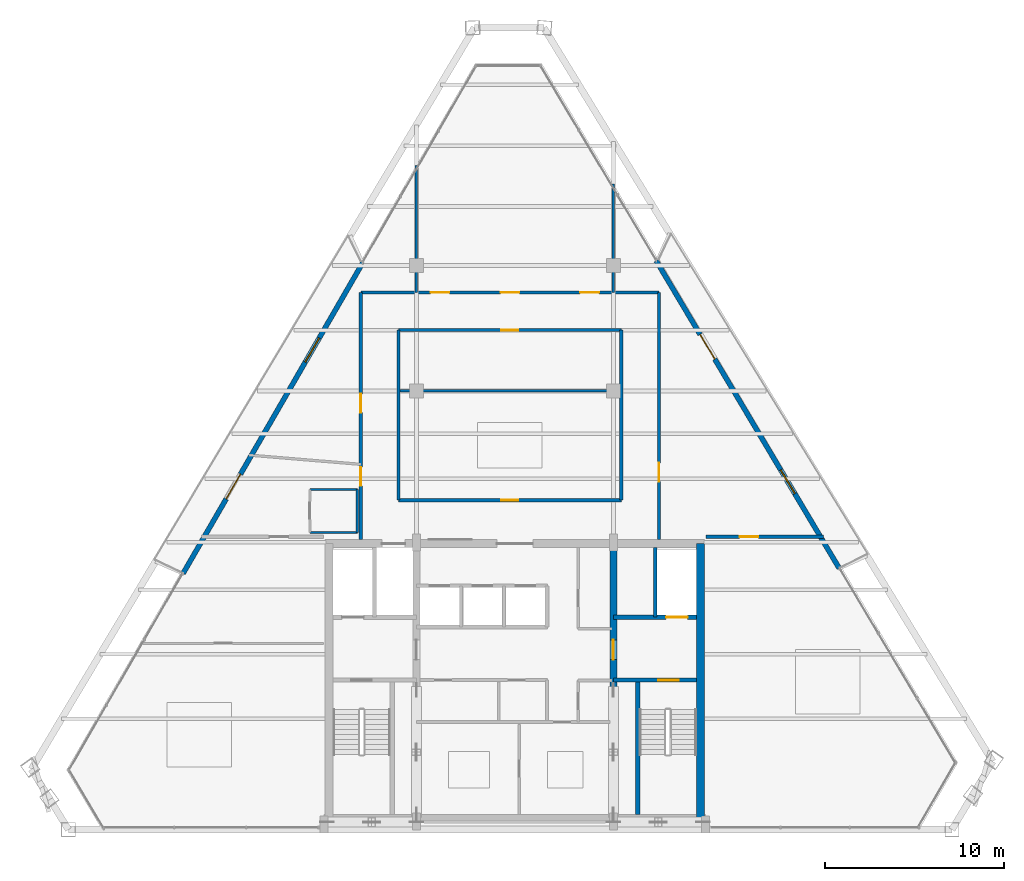
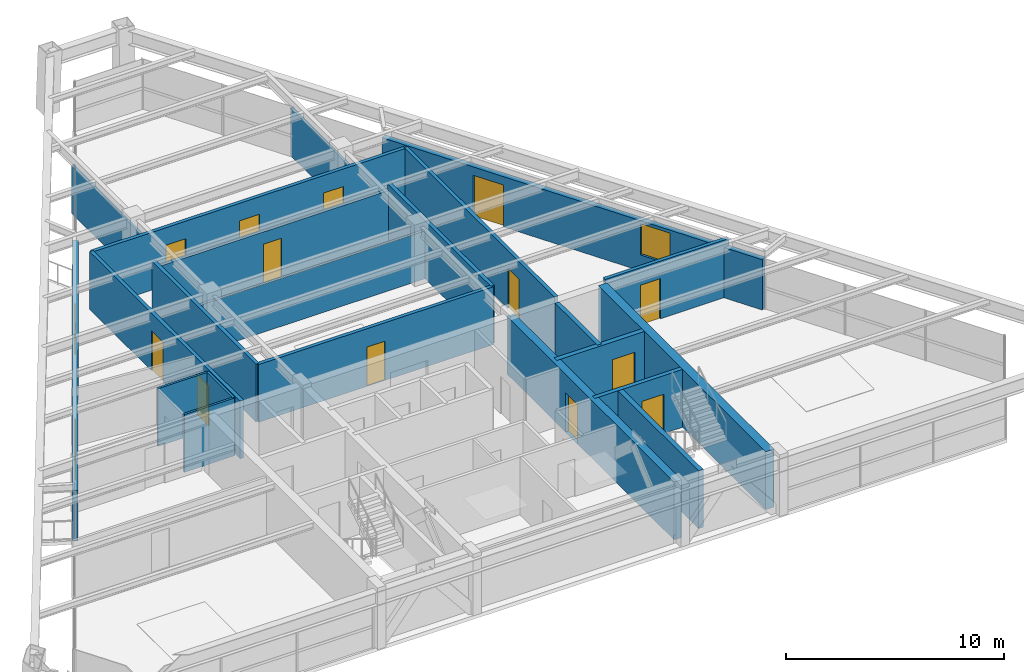
# One storey, part 10 of 13: 22 walls, 14 doors, 2 windows, 16 openings.
"""IFC4 building model written with IfcOpenShell, lengths in metres."""

from ifc_helpers import new_model, si_unit, direction, frame, frame_2d, origin, place, context, subcontext, project, spatial, rectangle, extrude, source, transform, mapped, material, layer, layer_set, type_object, type_shapes, element, fill, save


model = new_model("IFC4")

# Units and contexts
model_context = context("Model", 3, precision=1e-05, world=origin(), true_north=direction((0.0, 1.0)))
body_context = subcontext(model_context, "Body", "Model", "MODEL_VIEW")
ifc_project = project(units=[si_unit("LENGTHUNIT", "METRE"), si_unit("AREAUNIT", "SQUARE_METRE"), si_unit("VOLUMEUNIT", "CUBIC_METRE"), si_unit("PLANEANGLEUNIT", "RADIAN"), si_unit("MASSUNIT", "GRAM", prefix="KILO")], contexts=[model_context])

# Site, building, storey
site_placement = place(None, origin())
site = spatial("IfcSite", under=ifc_project, at=site_placement, CompositionType="ELEMENT")
building_placement = place(site_placement, origin())
building = spatial("IfcBuilding", under=site, at=building_placement, Name="Varnakhor Terracotta Tower", CompositionType="ELEMENT")
storey_placement = place(building_placement, frame((0.0, 0.0, 273.0)))
storey = spatial("IfcBuildingStorey", under=building, at=storey_placement, Name="L71", CompositionType="ELEMENT", Elevation=273.0)

# Walls
ifc_material_1 = material(Name="Moisture-Resistant Tile-Backed Partition", Category="gypsum")
ifc_layer_1 = layer(ifc_material_1, 0.114990234375, Name="Moisture-Resistant Tile-Backed Partition")
ifc_layer_set_1 = layer_set([ifc_layer_1], Name="Moisture-Resistant Tile-Backed Partition")
wall_type_1 = type_object("IfcWallType", Name="WAL-BATH-115", PredefinedType="PARTITIONING", material=ifc_layer_set_1)
for number, where, z_axis, x_axis, name in (
    (1, (-11.449951171875, 16.60009765625, 0.0), (0.0, 0.0, 1.0), (1.0, 0.0, 0.0), "L71 En-Suite 1 Wall S"),
    (2, (-11.449951171875, 19.0, 0.0), (0.0, 0.0, 1.0), (1.0, 0.0, 0.0), "L71 En-Suite 1 Wall N"),
):
    element("IfcWall", number, at=place(storey_placement, frame(where, z_axis=z_axis, x_axis=x_axis)), inside=storey, type_object=wall_type_1, Name=name, PredefinedType="PARTITIONING", context=body_context, shape_type="SweptSolid", body=[
        extrude(rectangle(XDim=2.64990234375, YDim=0.114990234375, at=frame_2d((1.324951171875, 0.0))), origin(), (0.0, 0.0, 1.0), 3.23193359375),
    ])
wall_1_placement = place(storey_placement, frame((-8.800048828125, 16.60009765625, 0.0), z_axis=(0.0, 0.0, 1.0), x_axis=(0.0, 1.0, 0.0)))
element("IfcWall", 3, at=wall_1_placement, inside=storey, type_object=wall_type_1, Name="L71 En-Suite 1 Wall E", PredefinedType="PARTITIONING", context=body_context, shape_type="SweptSolid", body=[
    extrude(rectangle(XDim=2.39990234375, YDim=0.114990234375, at=frame_2d((1.199951171875, 0.0))), origin(), (0.0, 0.0, 1.0), 3.23193359375),
])
ifc_material_2 = material(Name="Concrete C50/60", Category="concrete")
ifc_layer_2 = layer(ifc_material_2, 0.449951171875, Name="Concrete C50/60")
ifc_layer_set_2 = layer_set([ifc_layer_2], Name="Concrete C50/60")
wall_type_2 = type_object("IfcWallType", Name="WAL-CORE-450", PredefinedType="SHEAR", material=ifc_layer_set_2)
wall_2_placement = place(storey_placement, frame((10.375, 0.625, 0.0), z_axis=(0.0, 0.0, 1.0), x_axis=(0.0, 1.0, 0.0)))
element("IfcWall", 4, at=wall_2_placement, inside=storey, type_object=wall_type_2, Name="L71 East Core Shear Wall", PredefinedType="SHEAR", context=body_context, shape_type="SweptSolid", body=[
    extrude(rectangle(XDim=15.35009765625, YDim=0.449951171875, at=frame_2d((7.675048828125, 0.0))), origin(), (0.0, 0.0, 1.0), 3.239990234375),
])

# Wall, opening, door
ifc_layer_3 = layer(ifc_material_2, 0.39990234375, Name="Concrete C50/60")
ifc_layer_set_3 = layer_set([ifc_layer_3], Name="Concrete C50/60")
wall_type_3 = type_object("IfcWallType", Name="WAL-CORE-WEB-400", PredefinedType="SHEAR", material=ifc_layer_set_3)
wall_3_placement = place(storey_placement, frame((5.5, 0.625, 0.0), z_axis=(0.0, 0.0, 1.0), x_axis=(0.0, 1.0, 0.0)))
wall_3 = element("IfcWall", 5, at=wall_3_placement, inside=storey, type_object=wall_type_3, Name="L71 East Core Web Shear Wall", PredefinedType="SHEAR", context=body_context, shape_type="SweptSolid", body=[
    extrude(rectangle(XDim=15.35009765625, YDim=0.39990234375, at=frame_2d((7.675048828125, 0.0))), origin(), (0.0, 0.0, 1.0), 3.239990234375),
])
opening_1_placement = place(wall_3_placement, frame((8.875, 0.0, 0.0)))
opening_1 = element("IfcOpeningElement", 6, at=opening_1_placement, cuts=wall_3, Name="Opening DR-25", PredefinedType="OPENING", context=body_context, shape_type="SweptSolid", body=[
    extrude(rectangle(XDim=1.10009765625, YDim=2.199951171875, at=frame_2d((0.550048828125, 1.10009765625))), frame((0.0, 0.2099609375, 0.0), z_axis=(0.0, -1.0, 0.0), x_axis=(1.0, 0.0, 0.0)), (0.0, 0.0, 1.0), 0.419921875),
])
ifc_material_3 = material(Name="Firefighting Lobby Self-Closing Fire Door", Category="steel")
door_type_1 = type_object("IfcDoorType", Name="DR-FFL-1100X2200", OperationType="NOTDEFINED", PredefinedType="DOOR", material=ifc_material_3)
shared_shape_1 = source(origin(), body_context, "Body", "SweptSolid", [
    extrude(rectangle(XDim=1.10009765625, YDim=2.199951171875, at=frame_2d((0.550048828125, 1.10009765625))), frame((0.0, 0.02490234375, 0.0), z_axis=(0.0, -1.0, 0.0), x_axis=(1.0, 0.0, 0.0)), (0.0, 0.0, 1.0), 0.050048828125),
])
type_shapes(door_type_1, [shared_shape_1])
door_1_placement = place(opening_1_placement, origin())
door_1 = element("IfcDoor", 7, at=door_1_placement, inside=storey, type_object=door_type_1, Name="L71 East Firefighting Lobby Door", OperationType="SINGLE_SWING_LEFT", OverallHeight=2.199951171875, OverallWidth=1.10009765625, PredefinedType="DOOR", context=body_context, shape_type="MappedRepresentation", body=[
    mapped(shared_shape_1, transform((0.0, 0.0, 0.0), scale=1.0)),
])
fill(opening_1, door_1)

ifc_material_4 = material(Name="Fire-Rated Gypsum Stud Partition", Category="gypsum")
ifc_layer_4 = layer(ifc_material_4, 0.18505859375, Name="Fire-Rated Gypsum Stud Partition")
ifc_layer_set_4 = layer_set([ifc_layer_4], Name="Fire-Rated Gypsum Stud Partition")
wall_type_4 = type_object("IfcWallType", Name="WAL-CORR-185", PredefinedType="PARTITIONING", material=ifc_layer_set_4)
wall_4_placement = place(storey_placement, frame((-6.5, 18.39990234375, 0.0), z_axis=(0.0, 0.0, 1.0), x_axis=(1.0, 0.0, 0.0)))
wall_4 = element("IfcWall", 8, at=wall_4_placement, inside=storey, type_object=wall_type_4, Name="L71 Ring Inner South Wall", PredefinedType="PARTITIONING", context=body_context, shape_type="SweptSolid", body=[
    extrude(rectangle(XDim=12.449951171875, YDim=0.18505859375, at=frame_2d((6.22509765625, 0.0))), origin(), (0.0, 0.0, 1.0), 3.23193359375),
])
opening_2_placement = place(wall_4_placement, frame((5.75, 0.0, 0.0)))
opening_2 = element("IfcOpeningElement", 9, at=opening_2_placement, cuts=wall_4, Name="Opening DR-94", PredefinedType="OPENING", context=body_context, shape_type="SweptSolid", body=[
    extrude(rectangle(XDim=0.949951171875, YDim=2.199951171875, at=frame_2d((0.47509765625, 1.10009765625))), frame((0.0, 0.1025390625, 0.0), z_axis=(0.0, -1.0, 0.0), x_axis=(1.0, 0.0, 0.0)), (0.0, 0.0, 1.0), 0.205078125),
])
ifc_material_5 = material(Name="Acoustic Glazed-Vision Timber Office Door", Category="wood")
door_type_2 = type_object("IfcDoorType", Name="DR-OFF-950X2200", OperationType="NOTDEFINED", PredefinedType="DOOR", material=ifc_material_5)
shared_shape_2 = source(origin(), body_context, "Body", "SweptSolid", [
    extrude(rectangle(XDim=0.949951171875, YDim=2.199951171875, at=frame_2d((0.47509765625, 1.10009765625))), frame((0.0, 0.02490234375, 0.0), z_axis=(0.0, -1.0, 0.0), x_axis=(1.0, 0.0, 0.0)), (0.0, 0.0, 1.0), 0.050048828125),
])
type_shapes(door_type_2, [shared_shape_2])
door_2_placement = place(opening_2_placement, origin())
door_2 = element("IfcDoor", 10, at=door_2_placement, inside=storey, type_object=door_type_2, Name="L71 Housekeeping Station Door", OperationType="SINGLE_SWING_RIGHT", OverallHeight=2.199951171875, OverallWidth=0.949951171875, PredefinedType="DOOR", context=body_context, shape_type="MappedRepresentation", body=[
    mapped(shared_shape_2, transform((0.0, 0.0, 0.0), scale=1.0)),
])
fill(opening_2, door_2)

wall_5_placement = place(storey_placement, frame((-6.5, 27.89990234375, 0.0), z_axis=(0.0, 0.0, 1.0), x_axis=(1.0, 0.0, 0.0)))
wall_5 = element("IfcWall", 11, at=wall_5_placement, inside=storey, type_object=wall_type_4, Name="L71 Ring Inner North Wall", PredefinedType="PARTITIONING", context=body_context, shape_type="SweptSolid", body=[
    extrude(rectangle(XDim=12.449951171875, YDim=0.18505859375, at=frame_2d((6.22509765625, 0.0))), origin(), (0.0, 0.0, 1.0), 2.885009765625),
])
opening_3_placement = place(wall_5_placement, frame((5.75, 0.0, 0.0)))
opening_3 = element("IfcOpeningElement", 12, at=opening_3_placement, cuts=wall_5, Name="Opening DR-94", PredefinedType="OPENING", context=body_context, shape_type="SweptSolid", body=[
    extrude(rectangle(XDim=0.949951171875, YDim=2.199951171875, at=frame_2d((0.47509765625, 1.10009765625))), frame((0.0, 0.1025390625, 0.0), z_axis=(0.0, -1.0, 0.0), x_axis=(1.0, 0.0, 0.0)), (0.0, 0.0, 1.0), 0.205078125),
])
door_3_placement = place(opening_3_placement, origin())
door_3 = element("IfcDoor", 13, at=door_3_placement, inside=storey, type_object=door_type_2, Name="L71 Inner Service Door", OperationType="SINGLE_SWING_LEFT", OverallHeight=2.199951171875, OverallWidth=0.949951171875, PredefinedType="DOOR", context=body_context, shape_type="MappedRepresentation", body=[
    mapped(shared_shape_2, transform((0.0, 0.0, 0.0), scale=1.0)),
])
fill(opening_3, door_3)

# Walls
for number, where, z_axis, x_axis, name in (
    (14, (-6.5, 18.39990234375, 0.0), (0.0, 0.0, 1.0), (0.0, 1.0, 0.0), "L71 Ring Inner West Wall"),
    (15, (5.949951171875, 18.39990234375, 0.0), (0.0, 0.0, 1.0), (0.0, 1.0, 0.0), "L71 Ring Inner East Wall"),
):
    element("IfcWall", number, at=place(storey_placement, frame(where, z_axis=z_axis, x_axis=x_axis)), inside=storey, type_object=wall_type_4, Name=name, PredefinedType="PARTITIONING", context=body_context, shape_type="SweptSolid", body=[
        extrude(rectangle(XDim=9.5, YDim=0.18505859375, at=frame_2d((4.75, 0.0))), origin(), (0.0, 0.0, 1.0), 3.23193359375),
    ])

# Wall, openings, doors
wall_6_placement = place(storey_placement, frame((-8.60009765625, 16.199951171875, 0.0), z_axis=(0.0, 0.0, 1.0), x_axis=(0.0, 1.0, 0.0)))
wall_6 = element("IfcWall", 16, at=wall_6_placement, inside=storey, type_object=wall_type_4, Name="L71 Hotel West Corridor Wall", PredefinedType="PARTITIONING", context=body_context, shape_type="SweptSolid", body=[
    extrude(rectangle(XDim=13.800048828125, YDim=0.18505859375, at=frame_2d((6.89990234375, 0.0))), origin(), (0.0, 0.0, 1.0), 3.23193359375),
])
opening_4_placement = place(wall_6_placement, frame((3.0, 0.0, 0.0)))
opening_4 = element("IfcOpeningElement", 17, at=opening_4_placement, cuts=wall_6, Name="Opening DR-95", PredefinedType="OPENING", context=body_context, shape_type="SweptSolid", body=[
    extrude(rectangle(XDim=1.050048828125, YDim=2.25, at=frame_2d((0.52490234375, 1.125))), frame((0.0, 0.1025390625, 0.0), z_axis=(0.0, -1.0, 0.0), x_axis=(1.0, 0.0, 0.0)), (0.0, 0.0, 1.0), 0.205078125),
])
opening_5_placement = place(wall_6_placement, frame((7.087890625, 0.0, 0.0)))
opening_5 = element("IfcOpeningElement", 18, at=opening_5_placement, cuts=wall_6, Name="Opening DR-95", PredefinedType="OPENING", context=body_context, shape_type="SweptSolid", body=[
    extrude(rectangle(XDim=1.050048828125, YDim=2.25, at=frame_2d((0.52490234375, 1.125))), frame((0.0, 0.1025390625, 0.0), z_axis=(0.0, -1.0, 0.0), x_axis=(1.0, 0.0, 0.0)), (0.0, 0.0, 1.0), 0.205078125),
])
ifc_material_6 = material(Name="Solid-Core Timber Tenant/Hotel Entrance Door", Category="wood")
door_type_3 = type_object("IfcDoorType", Name="DR-SUITE-1050X2250", OperationType="NOTDEFINED", PredefinedType="DOOR", material=ifc_material_6)
shared_shape_3 = source(origin(), body_context, "Body", "SweptSolid", [
    extrude(rectangle(XDim=1.050048828125, YDim=2.25, at=frame_2d((0.52490234375, 1.125))), frame((0.0, 0.02490234375, 0.0), z_axis=(0.0, -1.0, 0.0), x_axis=(1.0, 0.0, 0.0)), (0.0, 0.0, 1.0), 0.050048828125),
])
type_shapes(door_type_3, [shared_shape_3])
door_4_placement = place(opening_4_placement, origin())
door_4 = element("IfcDoor", 19, at=door_4_placement, inside=storey, type_object=door_type_3, Name="L71 West Room 1 Entry Door", OperationType="SINGLE_SWING_LEFT", OverallHeight=2.25, OverallWidth=1.050048828125, PredefinedType="DOOR", context=body_context, shape_type="MappedRepresentation", body=[
    mapped(shared_shape_3, transform((0.0, 0.0, 0.0), scale=1.0)),
])
fill(opening_4, door_4)
door_5_placement = place(opening_5_placement, origin())
door_5 = element("IfcDoor", 20, at=door_5_placement, inside=storey, type_object=door_type_3, Name="L71 West Room 2 Entry Door", OperationType="SINGLE_SWING_LEFT", OverallHeight=2.25, OverallWidth=1.050048828125, PredefinedType="DOOR", context=body_context, shape_type="MappedRepresentation", body=[
    mapped(shared_shape_3, transform((0.0, 0.0, 0.0), scale=1.0)),
])
fill(opening_5, door_5)

# Wall, opening, door
wall_7_placement = place(storey_placement, frame((8.050048828125, 16.199951171875, 0.0), z_axis=(0.0, 0.0, 1.0), x_axis=(0.0, 1.0, 0.0)))
wall_7 = element("IfcWall", 21, at=wall_7_placement, inside=storey, type_object=wall_type_4, Name="L71 Hotel East Corridor Wall", PredefinedType="PARTITIONING", context=body_context, shape_type="SweptSolid", body=[
    extrude(rectangle(XDim=13.800048828125, YDim=0.18505859375, at=frame_2d((6.89990234375, 0.0))), origin(), (0.0, 0.0, 1.0), 3.23193359375),
])
opening_6_placement = place(wall_7_placement, frame((3.237548828125, 0.0, 0.0)))
opening_6 = element("IfcOpeningElement", 22, at=opening_6_placement, cuts=wall_7, Name="Opening DR-95", PredefinedType="OPENING", context=body_context, shape_type="SweptSolid", body=[
    extrude(rectangle(XDim=1.050048828125, YDim=2.25, at=frame_2d((0.52490234375, 1.125))), frame((0.0, 0.1025390625, 0.0), z_axis=(0.0, -1.0, 0.0), x_axis=(1.0, 0.0, 0.0)), (0.0, 0.0, 1.0), 0.205078125),
])
door_6_placement = place(opening_6_placement, origin())
door_6 = element("IfcDoor", 23, at=door_6_placement, inside=storey, type_object=door_type_3, Name="L71 East Room 1 Entry Door", OperationType="SINGLE_SWING_RIGHT", OverallHeight=2.25, OverallWidth=1.050048828125, PredefinedType="DOOR", context=body_context, shape_type="MappedRepresentation", body=[
    mapped(shared_shape_3, transform((0.0, 0.0, 0.0), scale=1.0)),
])
fill(opening_6, door_6)

# Wall, openings, doors
wall_8_placement = place(storey_placement, frame((-8.60009765625, 30.0, 0.0), z_axis=(0.0, 0.0, 1.0), x_axis=(1.0, 0.0, 0.0)))
wall_8 = element("IfcWall", 24, at=wall_8_placement, inside=storey, type_object=wall_type_4, Name="L71 Hotel North Corridor Wall", PredefinedType="PARTITIONING", context=body_context, shape_type="SweptSolid", body=[
    extrude(rectangle(XDim=16.650146484375, YDim=0.18505859375, at=frame_2d((8.3251953125, 0.0))), origin(), (0.0, 0.0, 1.0), 3.23193359375),
])
opening_7_placement = place(wall_8_placement, frame((3.89990234375, 0.0, 0.0)))
opening_7 = element("IfcOpeningElement", 25, at=opening_7_placement, cuts=wall_8, Name="Opening DR-95", PredefinedType="OPENING", context=body_context, shape_type="SweptSolid", body=[
    extrude(rectangle(XDim=1.050048828125, YDim=2.25, at=frame_2d((0.52490234375, 1.125))), frame((0.0, 0.1025390625, 0.0), z_axis=(0.0, -1.0, 0.0), x_axis=(1.0, 0.0, 0.0)), (0.0, 0.0, 1.0), 0.205078125),
])
opening_8_placement = place(wall_8_placement, frame((7.800048828125, 0.0, 0.0)))
opening_8 = element("IfcOpeningElement", 26, at=opening_8_placement, cuts=wall_8, Name="Opening DR-95", PredefinedType="OPENING", context=body_context, shape_type="SweptSolid", body=[
    extrude(rectangle(XDim=1.050048828125, YDim=2.25, at=frame_2d((0.52490234375, 1.125))), frame((0.0, 0.1025390625, 0.0), z_axis=(0.0, -1.0, 0.0), x_axis=(1.0, 0.0, 0.0)), (0.0, 0.0, 1.0), 0.205078125),
])
opening_9_placement = place(wall_8_placement, frame((12.25, 0.0, 0.0)))
opening_9 = element("IfcOpeningElement", 27, at=opening_9_placement, cuts=wall_8, Name="Opening DR-95", PredefinedType="OPENING", context=body_context, shape_type="SweptSolid", body=[
    extrude(rectangle(XDim=1.050048828125, YDim=2.25, at=frame_2d((0.52490234375, 1.125))), frame((0.0, 0.1025390625, 0.0), z_axis=(0.0, -1.0, 0.0), x_axis=(1.0, 0.0, 0.0)), (0.0, 0.0, 1.0), 0.205078125),
])
door_7_placement = place(opening_7_placement, origin())
door_7 = element("IfcDoor", 28, at=door_7_placement, inside=storey, type_object=door_type_3, Name="L71 North Suite 1 Entry Door", OperationType="SINGLE_SWING_LEFT", OverallHeight=2.25, OverallWidth=1.050048828125, PredefinedType="DOOR", context=body_context, shape_type="MappedRepresentation", body=[
    mapped(shared_shape_3, transform((0.0, 0.0, 0.0), scale=1.0)),
])
fill(opening_7, door_7)
door_8_placement = place(opening_8_placement, origin())
door_8 = element("IfcDoor", 29, at=door_8_placement, inside=storey, type_object=door_type_3, Name="L71 North Suite 2 Entry Door", OperationType="SINGLE_SWING_RIGHT", OverallHeight=2.25, OverallWidth=1.050048828125, PredefinedType="DOOR", context=body_context, shape_type="MappedRepresentation", body=[
    mapped(shared_shape_3, transform((0.0, 0.0, 0.0), scale=1.0)),
])
fill(opening_8, door_8)
door_9_placement = place(opening_9_placement, origin())
door_9 = element("IfcDoor", 30, at=door_9_placement, inside=storey, type_object=door_type_3, Name="L71 North Suite 3 Entry Door", OperationType="SINGLE_SWING_LEFT", OverallHeight=2.25, OverallWidth=1.050048828125, PredefinedType="DOOR", context=body_context, shape_type="MappedRepresentation", body=[
    mapped(shared_shape_3, transform((0.0, 0.0, 0.0), scale=1.0)),
])
fill(opening_9, door_9)

# Wall, opening, door
wall_9_placement = place(storey_placement, frame((10.679931640625, 16.35009765625, 0.0), z_axis=(0.0, 0.0, 1.0), x_axis=(1.0, 0.0, 0.0)))
wall_9 = element("IfcWall", 31, at=wall_9_placement, inside=storey, type_object=wall_type_4, Name="L71 South East Guest Entry Wall", PredefinedType="PARTITIONING", context=body_context, shape_type="SweptSolid", body=[
    extrude(rectangle(XDim=6.543212890625, YDim=0.18505859375, at=frame_2d((3.271484375, 0.0))), origin(), (0.0, 0.0, 1.0), 3.23193359375),
])
opening_10_placement = place(wall_9_placement, frame((1.8671875, 0.0, 0.0)))
opening_10 = element("IfcOpeningElement", 32, at=opening_10_placement, cuts=wall_9, Name="Opening DR-95", PredefinedType="OPENING", context=body_context, shape_type="SweptSolid", body=[
    extrude(rectangle(XDim=1.050048828125, YDim=2.25, at=frame_2d((0.52490234375, 1.125))), frame((0.0, 0.1025390625, 0.0), z_axis=(0.0, -1.0, 0.0), x_axis=(1.0, 0.0, 0.0)), (0.0, 0.0, 1.0), 0.205078125),
])
door_10_placement = place(opening_10_placement, origin())
door_10 = element("IfcDoor", 33, at=door_10_placement, inside=storey, type_object=door_type_3, Name="L71 SE Suite Entry Door", OperationType="SINGLE_SWING_LEFT", OverallHeight=2.25, OverallWidth=1.050048828125, PredefinedType="DOOR", context=body_context, shape_type="MappedRepresentation", body=[
    mapped(shared_shape_3, transform((0.0, 0.0, 0.0), scale=1.0)),
])
fill(opening_10, door_10)

# Wall, openings, door, window
ifc_material_7 = material(Name="Extruded Architectural Terracotta Assembly", Category="masonry")
ifc_layer_5 = layer(ifc_material_7, 0.280029296875, Name="Extruded Architectural Terracotta Assembly")
ifc_layer_set_5 = layer_set([ifc_layer_5], Name="Extruded Architectural Terracotta Assembly")
wall_type_5 = type_object("IfcWallType", Name="WAL-EXT-TERRACOTTA-280", PredefinedType="SOLIDWALL", material=ifc_layer_set_5)
wall_10_placement = place(storey_placement, frame((-18.528564453125, 14.3076171875, 0.0), z_axis=(0.0, 0.0, 1.0), x_axis=(0.500615740451, 0.86566961389, 0.0)))
wall_10 = element("IfcWall", 34, at=wall_10_placement, inside=storey, type_object=wall_type_5, Name="L71 W Loggia Insulated Terracotta Wall", PredefinedType="SOLIDWALL", context=body_context, shape_type="SweptSolid", body=[
    extrude(rectangle(XDim=20.050048828125, YDim=0.280029296875, at=frame_2d((10.02490234375, 0.0))), origin(), (0.0, 0.0, 1.0), 2.820068359375),
])
opening_11_placement = place(wall_10_placement, frame((4.81201171875, 0.0, 0.0)))
opening_11 = element("IfcOpeningElement", 35, at=opening_11_placement, cuts=wall_10, Name="Opening DR-62", PredefinedType="OPENING", context=body_context, shape_type="SweptSolid", body=[
    extrude(rectangle(XDim=1.60009765625, YDim=2.35009765625, at=frame_2d((0.800048828125, 1.175048828125))), frame((0.0, 0.14990234375, 0.0), z_axis=(0.0, -1.0, 0.0), x_axis=(1.0, 0.0, 0.0)), (0.0, 0.0, 1.0), 0.300048828125),
])
opening_12_placement = place(wall_10_placement, frame((13.634033203125, 0.0, 0.89990234375)))
opening_12 = element("IfcOpeningElement", 36, at=opening_12_placement, cuts=wall_10, Name="Opening WN-59", PredefinedType="OPENING", context=body_context, shape_type="SweptSolid", body=[
    extrude(rectangle(XDim=1.550048828125, YDim=1.75, at=frame_2d((0.77490234375, 0.875))), frame((0.0, 0.14990234375, 0.0), z_axis=(0.0, -1.0, 0.0), x_axis=(1.0, 0.0, 0.0)), (0.0, 0.0, 1.0), 0.300048828125),
])
ifc_material_8 = material(Name="Thermally Broken Sliding Glass Loggia Door", Category="glass")
door_type_4 = type_object("IfcDoorType", Name="DR-EXT-LOGGIA-1600X2350", OperationType="NOTDEFINED", PredefinedType="DOOR", material=ifc_material_8)
shared_shape_4 = source(origin(), body_context, "Body", "SweptSolid", [
    extrude(rectangle(XDim=1.60009765625, YDim=2.35009765625, at=frame_2d((0.800048828125, 1.175048828125))), frame((0.0, 0.02490234375, 0.0), z_axis=(0.0, -1.0, 0.0), x_axis=(1.0, 0.0, 0.0)), (0.0, 0.0, 1.0), 0.050048828125),
])
type_shapes(door_type_4, [shared_shape_4])
door_11_placement = place(opening_11_placement, origin())
door_11 = element("IfcDoor", 37, at=door_11_placement, inside=storey, type_object=door_type_4, Name="L71 W Recessed Loggia Sliding Door", OperationType="SLIDING_TO_LEFT", OverallHeight=2.35009765625, OverallWidth=1.60009765625, PredefinedType="DOOR", context=body_context, shape_type="MappedRepresentation", body=[
    mapped(shared_shape_4, transform((0.0, 0.0, 0.0), scale=1.0)),
])
fill(opening_11, door_11)
ifc_material_9 = material(Name="Solar-Control Low-E Insulated Glass Unit", Category="glass")
window_type = type_object("IfcWindowType", Name="WIN-HTL-1500X1950", PartitioningType="SINGLE_PANEL", PredefinedType="WINDOW", material=ifc_material_9)
shared_shape_5 = source(origin(), body_context, "Body", "SweptSolid", [
    extrude(rectangle(XDim=1.550048828125, YDim=1.75, at=frame_2d((0.77490234375, 0.875))), frame((0.0, 0.030029296875, 0.0), z_axis=(0.0, -1.0, 0.0), x_axis=(1.0, 0.0, 0.0)), (0.0, 0.0, 1.0), 0.06005859375),
])
type_shapes(window_type, [shared_shape_5])
window_1_placement = place(opening_12_placement, origin())
window_1 = element("IfcWindow", 38, at=window_1_placement, inside=storey, type_object=window_type, Name="L71 W Facet Punched Window", OverallHeight=1.75, OverallWidth=1.550048828125, PartitioningType="SINGLE_PANEL", PredefinedType="WINDOW", context=body_context, shape_type="MappedRepresentation", body=[
    mapped(shared_shape_5, transform((0.0, 0.0, 0.0), scale=1.0)),
])
fill(opening_12, window_1)

wall_11_placement = place(storey_placement, frame((7.8916015625, 31.77685546875, 0.0), z_axis=(0.0, 0.0, 1.0), x_axis=(0.511386799139, -0.85935065117, 0.0)))
wall_11 = element("IfcWall", 39, at=wall_11_placement, inside=storey, type_object=wall_type_5, Name="L71 E Loggia Insulated Terracotta Wall", PredefinedType="SOLIDWALL", context=body_context, shape_type="SweptSolid", body=[
    extrude(rectangle(XDim=19.988525390625, YDim=0.280029296875, at=frame_2d((9.994140625, 0.0))), origin(), (0.0, 0.0, 1.0), 2.820068359375),
])
opening_13_placement = place(wall_11_placement, frame((4.79736328125, 0.0, 0.0)))
opening_13 = element("IfcOpeningElement", 40, at=opening_13_placement, cuts=wall_11, Name="Opening DR-62", PredefinedType="OPENING", context=body_context, shape_type="SweptSolid", body=[
    extrude(rectangle(XDim=1.60009765625, YDim=2.35009765625, at=frame_2d((0.800048828125, 1.175048828125))), frame((0.0, 0.14990234375, 0.0), z_axis=(0.0, -1.0, 0.0), x_axis=(1.0, 0.0, 0.0)), (0.0, 0.0, 1.0), 0.300048828125),
])
opening_14_placement = place(wall_11_placement, frame((13.59228515625, 0.0, 0.89990234375)))
opening_14 = element("IfcOpeningElement", 41, at=opening_14_placement, cuts=wall_11, Name="Opening WN-59", PredefinedType="OPENING", context=body_context, shape_type="SweptSolid", body=[
    extrude(rectangle(XDim=1.550048828125, YDim=1.75, at=frame_2d((0.77490234375, 0.875))), frame((0.0, 0.14990234375, 0.0), z_axis=(0.0, -1.0, 0.0), x_axis=(1.0, 0.0, 0.0)), (0.0, 0.0, 1.0), 0.300048828125),
])
door_12_placement = place(opening_13_placement, origin())
door_12 = element("IfcDoor", 42, at=door_12_placement, inside=storey, type_object=door_type_4, Name="L71 E Recessed Loggia Sliding Door", OperationType="SLIDING_TO_RIGHT", OverallHeight=2.35009765625, OverallWidth=1.60009765625, PredefinedType="DOOR", context=body_context, shape_type="MappedRepresentation", body=[
    mapped(shared_shape_4, transform((0.0, 0.0, 0.0), scale=1.0)),
])
fill(opening_13, door_12)
window_2_placement = place(opening_14_placement, origin())
window_2 = element("IfcWindow", 43, at=window_2_placement, inside=storey, type_object=window_type, Name="L71 E Facet Punched Window", OverallHeight=1.75, OverallWidth=1.550048828125, PartitioningType="SINGLE_PANEL", PredefinedType="WINDOW", context=body_context, shape_type="MappedRepresentation", body=[
    mapped(shared_shape_5, transform((0.0, 0.0, 0.0), scale=1.0)),
])
fill(opening_14, window_2)

# Wall, opening, door
ifc_material_10 = material(Name="Concrete C40/50", Category="concrete")
ifc_layer_6 = layer(ifc_material_10, 0.219970703125, Name="Concrete C40/50")
ifc_layer_set_6 = layer_set([ifc_layer_6], Name="Concrete C40/50")
wall_type_6 = type_object("IfcWallType", Name="WAL-FFLOBBY-220", PredefinedType="SOLIDWALL", material=ifc_layer_set_6)
wall_12_placement = place(storey_placement, frame((10.14990234375, 8.35009765625, 0.0), z_axis=(0.0, 0.0, 1.0), x_axis=(-1.0, 0.0, 0.0)))
wall_12 = element("IfcWall", 44, at=wall_12_placement, inside=storey, type_object=wall_type_6, Name="L71 East Firefighting Lobby Stair Wall", PredefinedType="SOLIDWALL", context=body_context, shape_type="SweptSolid", body=[
    extrude(rectangle(XDim=4.64990234375, YDim=0.219970703125, at=frame_2d((2.324951171875, 0.0))), origin(), (0.0, 0.0, 1.0), 3.239990234375),
])
opening_15_placement = place(wall_12_placement, frame((1.0, 0.0, 0.0)))
opening_15 = element("IfcOpeningElement", 45, at=opening_15_placement, cuts=wall_12, Name="Opening DR-34", PredefinedType="OPENING", context=body_context, shape_type="SweptSolid", body=[
    extrude(rectangle(XDim=1.14990234375, YDim=2.199951171875, at=frame_2d((0.574951171875, 1.10009765625))), frame((0.0, 0.1201171875, 0.0), z_axis=(0.0, -1.0, 0.0), x_axis=(1.0, 0.0, 0.0)), (0.0, 0.0, 1.0), 0.239990234375),
])
ifc_material_11 = material(Name="Self-Closing Smoke-Sealed Steel Fire Door", Category="steel")
door_type_5 = type_object("IfcDoorType", Name="DR-STAIR-1150X2200", OperationType="NOTDEFINED", PredefinedType="DOOR", material=ifc_material_11)
shared_shape_6 = source(origin(), body_context, "Body", "SweptSolid", [
    extrude(rectangle(XDim=1.14990234375, YDim=2.199951171875, at=frame_2d((0.574951171875, 1.10009765625))), frame((0.0, 0.02490234375, 0.0), z_axis=(0.0, -1.0, 0.0), x_axis=(1.0, 0.0, 0.0)), (0.0, 0.0, 1.0), 0.050048828125),
])
type_shapes(door_type_5, [shared_shape_6])
door_13_placement = place(opening_15_placement, origin())
door_13 = element("IfcDoor", 46, at=door_13_placement, inside=storey, type_object=door_type_5, Name="L71 Exit Stair ST-2 Fire Door", OperationType="SINGLE_SWING_RIGHT", OverallHeight=2.199951171875, OverallWidth=1.14990234375, PredefinedType="DOOR", context=body_context, shape_type="MappedRepresentation", body=[
    mapped(shared_shape_6, transform((0.0, 0.0, 0.0), scale=1.0)),
])
fill(opening_15, door_13)

# Walls
ifc_material_12 = material(Name="Acoustic Hotel Room Partition", Category="gypsum")
ifc_layer_7 = layer(ifc_material_12, 0.1298828125, Name="Acoustic Hotel Room Partition")
ifc_layer_set_7 = layer_set([ifc_layer_7], Name="Acoustic Hotel Room Partition")
wall_type_7 = type_object("IfcWallType", Name="WAL-PART-130", PredefinedType="PARTITIONING", material=ifc_layer_set_7)
wall_13_placement = place(storey_placement, frame((-5.5, 30.0, 0.0), z_axis=(0.0, 0.0, 1.0), x_axis=(0.0, 1.0, 0.0)))
element("IfcWall", 47, at=wall_13_placement, inside=storey, type_object=wall_type_7, Name="L71 North West Column Wall", PredefinedType="PARTITIONING", context=body_context, shape_type="SweptSolid", body=[
    extrude(rectangle(XDim=7.09619140625, YDim=0.1298828125, at=frame_2d((3.548095703125, 0.0))), origin(), (0.0, 0.0, 1.0), 2.68310546875),
])
wall_14_placement = place(storey_placement, frame((5.5, 30.0, 0.0), z_axis=(0.0, 0.0, 1.0), x_axis=(0.0, 1.0, 0.0)))
element("IfcWall", 48, at=wall_14_placement, inside=storey, type_object=wall_type_7, Name="L71 North East Column Wall", PredefinedType="PARTITIONING", context=body_context, shape_type="SweptSolid", body=[
    extrude(rectangle(XDim=6.05029296875, YDim=0.1298828125, at=frame_2d((3.025146484375, 0.0))), origin(), (0.0, 0.0, 1.0), 2.68310546875),
])
ifc_material_13 = material(Name="Acoustic Metal-Stud Partition", Category="gypsum")
ifc_layer_8 = layer(ifc_material_13, 0.139892578125, Name="Acoustic Metal-Stud Partition")
ifc_layer_set_8 = layer_set([ifc_layer_8], Name="Acoustic Metal-Stud Partition")
wall_type_8 = type_object("IfcWallType", Name="WAL-PART-140", PredefinedType="PARTITIONING", material=ifc_layer_set_8)
wall_15_placement = place(storey_placement, frame((-6.5, 24.5, 0.0), z_axis=(0.0, 0.0, 1.0), x_axis=(1.0, 0.0, 0.0)))
element("IfcWall", 49, at=wall_15_placement, inside=storey, type_object=wall_type_8, Name="L71 Inner Service Split", PredefinedType="PARTITIONING", context=body_context, shape_type="SweptSolid", body=[
    extrude(rectangle(XDim=12.449951171875, YDim=0.139892578125, at=frame_2d((6.22509765625, 0.0))), origin(), (0.0, 0.0, 1.0), 2.68310546875),
])
ifc_layer_9 = layer(ifc_material_10, 0.219970703125, Name="Concrete C40/50")
ifc_layer_set_9 = layer_set([ifc_layer_9], Name="Concrete C40/50")
wall_type_9 = type_object("IfcWallType", Name="WAL-SHAFT-220", PredefinedType="SOLIDWALL", material=ifc_layer_set_9)
wall_16_placement = place(storey_placement, frame((7.840087890625, 11.8701171875, 0.0), z_axis=(0.0, 0.0, 1.0), x_axis=(0.0, 1.0, 0.0)))
element("IfcWall", 50, at=wall_16_placement, inside=storey, type_object=wall_type_9, Name="L71 Lift FFL-2 and Riser Divider Wall", PredefinedType="SOLIDWALL", context=body_context, shape_type="SweptSolid", body=[
    extrude(rectangle(XDim=3.8798828125, YDim=0.219970703125, at=frame_2d((1.93994140625, 0.0))), origin(), (0.0, 0.0, 1.0), 3.239990234375),
])
ifc_layer_10 = layer(ifc_material_10, 0.25, Name="Concrete C40/50")
ifc_layer_set_10 = layer_set([ifc_layer_10], Name="Concrete C40/50")
wall_type_10 = type_object("IfcWallType", Name="WAL-SHAFT-250", PredefinedType="SOLIDWALL", material=ifc_layer_set_10)
wall_17_placement = place(storey_placement, frame((6.85009765625, 0.85009765625, 0.0), z_axis=(0.0, 0.0, 1.0), x_axis=(0.0, 1.0, 0.0)))
element("IfcWall", 51, at=wall_17_placement, inside=storey, type_object=wall_type_10, Name="L71 Stair ST-2 Bearing Shaft Wall", PredefinedType="SOLIDWALL", context=body_context, shape_type="SweptSolid", body=[
    extrude(rectangle(XDim=7.5, YDim=0.25, at=frame_2d((3.75, 0.0))), origin(), (0.0, 0.0, 1.0), 3.239990234375),
])

# Wall, opening, door
wall_18_placement = place(storey_placement, frame((10.14990234375, 11.8701171875, 0.0), z_axis=(0.0, 0.0, 1.0), x_axis=(-1.0, 0.0, 0.0)))
wall_18 = element("IfcWall", 52, at=wall_18_placement, inside=storey, type_object=wall_type_10, Name="L71 Lift FFL-2 Shaft Front Wall", PredefinedType="SOLIDWALL", context=body_context, shape_type="SweptSolid", body=[
    extrude(rectangle(XDim=4.64990234375, YDim=0.25, at=frame_2d((2.324951171875, 0.0))), origin(), (0.0, 0.0, 1.0), 3.239990234375),
])
opening_16_placement = place(wall_18_placement, frame((0.5, 0.0, 0.0)))
opening_16 = element("IfcOpeningElement", 53, at=opening_16_placement, cuts=wall_18, Name="Opening LD-02", PredefinedType="OPENING", context=body_context, shape_type="SweptSolid", body=[
    extrude(rectangle(XDim=1.199951171875, YDim=2.25, at=frame_2d((0.60009765625, 1.125))), frame((0.0, 0.135009765625, 0.0), z_axis=(0.0, -1.0, 0.0), x_axis=(1.0, 0.0, 0.0)), (0.0, 0.0, 1.0), 0.27001953125),
])
ifc_material_14 = material(Name="Firefighting Stretcher Sliding Lift Landing Door", Category="steel")
door_type_6 = type_object("IfcDoorType", Name="LD-FFL-1200X2250", OperationType="NOTDEFINED", PredefinedType="DOOR", material=ifc_material_14)
shared_shape_7 = source(origin(), body_context, "Body", "SweptSolid", [
    extrude(rectangle(XDim=1.199951171875, YDim=2.25, at=frame_2d((0.60009765625, 1.125))), frame((0.0, 0.02490234375, 0.0), z_axis=(0.0, -1.0, 0.0), x_axis=(1.0, 0.0, 0.0)), (0.0, 0.0, 1.0), 0.050048828125),
])
type_shapes(door_type_6, [shared_shape_7])
door_14_placement = place(opening_16_placement, origin())
door_14 = element("IfcDoor", 54, at=door_14_placement, inside=storey, type_object=door_type_6, Name="L71 Firefighting Lift FFL-2 Landing Door", OperationType="SLIDING_TO_RIGHT", OverallHeight=2.25, OverallWidth=1.199951171875, PredefinedType="DOOR", context=body_context, shape_type="MappedRepresentation", body=[
    mapped(shared_shape_7, transform((0.0, 0.0, 0.0), scale=1.0)),
])
fill(opening_16, door_14)

save(model, "model.ifc")
